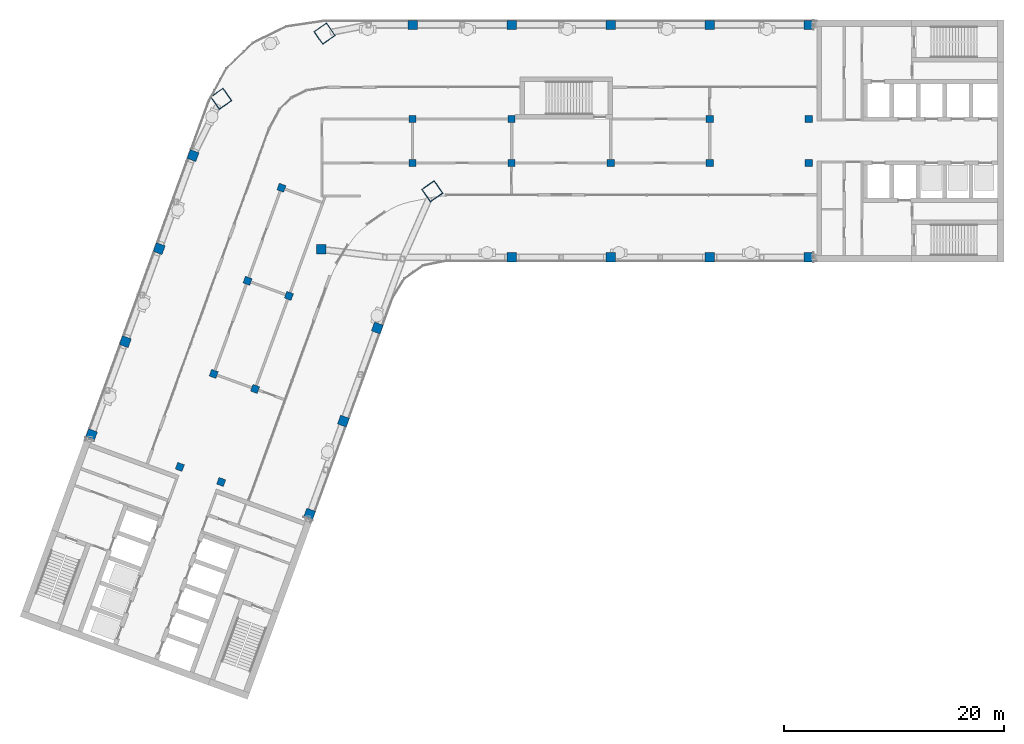
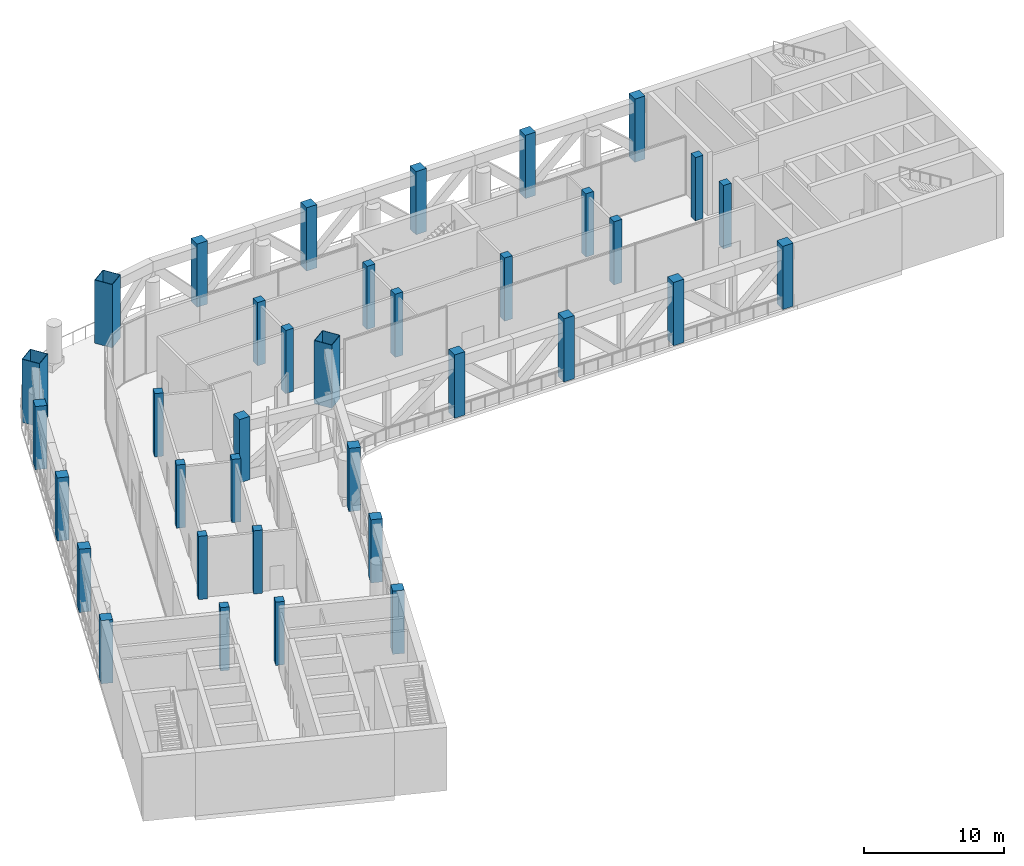
# One storey, part 1 of 19: 36 columns.
"""IFC4 building model written with IfcOpenShell, lengths in metres."""

import ifcopenshell
import ifcopenshell.guid

model = None  # the IFC model being written
_history = None  # IfcOwnerHistory: only IFC2X3 demands one
_inside = {}  # id of a spatial element -> (the spatial element, [elements in it])
_under = {}  # id of a project, library or spatial element -> (it, [spatial elements below it])
_declared = {}  # id of a project -> (the project, [libraries it declares])
_typed = {}  # id of a type object -> (the type object, [elements of that type])
_made_of = {}  # id of a material, layer set ... -> (it, [elements and type objects made of it])


def new_model(schema):
    """Start an empty IFC model of exactly this schema.

    Asked for "IFC4X3", IfcOpenShell would pick the latest addendum, in which some entities
    have other attributes; the version numbers below select the first issue.
    IFC2X3 requires an IfcOwnerHistory on every rooted entity: one is made here for all.
    """
    global model, _history
    if schema == "IFC4X3":
        model = ifcopenshell.file(schema_version=(4, 3, 0, 0))
    else:
        model = ifcopenshell.file(schema=schema)
    _inside.clear()
    _under.clear()
    _declared.clear()
    _typed.clear()
    _made_of.clear()
    _history = None
    if model.schema == "IFC2X3":
        org = make("IfcOrganization", Name="unknown")
        user = make(
            "IfcPersonAndOrganization",
            ThePerson=make("IfcPerson", FamilyName="unknown"),
            TheOrganization=org,
        )
        app = make(
            "IfcApplication",
            ApplicationDeveloper=org,
            Version="unknown",
            ApplicationFullName="unknown",
            ApplicationIdentifier="unknown",
        )
        _history = make(
            "IfcOwnerHistory",
            OwningUser=user,
            OwningApplication=app,
            ChangeAction="ADDED",
            CreationDate=0,
        )
    return model


def make(cls, **values):
    """One entity of the class cls with the attributes given. An attribute that is None is left unset."""
    return model.create_entity(
        cls, **{name: value for name, value in values.items() if value is not None}
    )


def rooted(cls, **values):
    """An entity with a GlobalId (a new one), such as an element, a storey or a relation."""
    return make(cls, GlobalId=ifcopenshell.guid.new(), OwnerHistory=_history, **values)


def si_unit(unit_type, name, prefix=None):
    """IfcSIUnit, for example si_unit("LENGTHUNIT", "METRE", prefix="MILLI")."""
    return make("IfcSIUnit", UnitType=unit_type, Prefix=prefix, Name=name)


def assignment(units):
    """IfcUnitAssignment: the units of a project."""
    return None if units is None else make("IfcUnitAssignment", Units=units)


def point(xyz):
    """IfcCartesianPoint."""
    return None if xyz is None else make("IfcCartesianPoint", Coordinates=xyz)


def direction(xyz):
    """IfcDirection."""
    return None if xyz is None else make("IfcDirection", DirectionRatios=xyz)


def frame(location, z_axis=None, x_axis=None):
    """IfcAxis2Placement3D, a coordinate frame: its origin and axes. An axis left out is left unset."""
    return make(
        "IfcAxis2Placement3D",
        Location=point(location),
        Axis=direction(z_axis),
        RefDirection=direction(x_axis),
    )


def frame_2d(location, x_axis=None):
    """IfcAxis2Placement2D, a coordinate frame in the plane: its origin and x axis."""
    return make(
        "IfcAxis2Placement2D", Location=point(location), RefDirection=direction(x_axis)
    )


def origin():
    """The frame at (0, 0, 0) with its axes left unset."""
    return frame((0.0, 0.0, 0.0))


def origin_2d():
    """The frame at (0, 0) in the plane with its x axis left unset."""
    return frame_2d((0.0, 0.0))


def place(relative_to, where):
    """IfcLocalPlacement: puts the frame where relative to a parent placement (None: the world)."""
    return make(
        "IfcLocalPlacement", PlacementRelTo=relative_to, RelativePlacement=where
    )


def context(
    kind, dimensions, precision=None, world=None, true_north=None, identifier=None
):
    """IfcGeometricRepresentationContext, for example the 3D "Model" context."""
    return make(
        "IfcGeometricRepresentationContext",
        ContextIdentifier=identifier,
        ContextType=kind,
        CoordinateSpaceDimension=dimensions,
        Precision=precision,
        WorldCoordinateSystem=world,
        TrueNorth=true_north,
    )


def subcontext(parent, identifier, kind, view, scale=None):
    """IfcGeometricRepresentationSubContext, for example "Body" below "Model"."""
    return make(
        "IfcGeometricRepresentationSubContext",
        ContextIdentifier=identifier,
        ContextType=kind,
        ParentContext=parent,
        TargetScale=scale,
        TargetView=view,
    )


def project(units=None, contexts=None):
    """IfcProject with its units and contexts."""
    return rooted(
        "IfcProject",
        Name="project",
        RepresentationContexts=contexts,
        UnitsInContext=assignment(units),
    )


def spatial(cls, under=None, at=None, **own):
    """A site, building, storey or space (cls), placed at a placement, below another one or the project."""
    s = rooted(cls, ObjectPlacement=at, **own)
    if under is not None:
        _under.setdefault(under.id(), (under, []))[1].append(s)
    return s


def profile(cls, at=None, kind="AREA", **sizes):
    """A parametric profile (cls). Its sizes go by their IFC names, for example OverallWidth=200.0."""
    return make(cls, ProfileType=kind, Position=at, **sizes)


def rectangle(**sizes):
    """IfcRectangleProfileDef."""
    return profile("IfcRectangleProfileDef", **sizes)


def hollow_rectangle(**sizes):
    """IfcRectangleHollowProfileDef."""
    return profile("IfcRectangleHollowProfileDef", **sizes)


def extrude(swept, where, along, depth):
    """IfcExtrudedAreaSolid: the profile swept, set in the frame where, extruded along a direction by depth."""
    return make(
        "IfcExtrudedAreaSolid",
        SweptArea=swept,
        Position=where,
        ExtrudedDirection=direction(along),
        Depth=depth,
    )


def shape(context_of_items, identifier, shape_type, items):
    """IfcShapeRepresentation: the items that make up one representation, for example the "Body"."""
    return make(
        "IfcShapeRepresentation",
        ContextOfItems=context_of_items,
        RepresentationIdentifier=identifier,
        RepresentationType=shape_type,
        Items=items,
    )


def material(Name=None, Category=None):
    """IfcMaterial."""
    return make("IfcMaterial", Name=Name, Category=Category)


def material_profile(
    of_material, cross_section, Name=None, Category=None, Priority=None
):
    """IfcMaterialProfile: a cross section and its material."""
    return make(
        "IfcMaterialProfile",
        Name=Name,
        Material=of_material,
        Profile=cross_section,
        Priority=Priority,
        Category=Category,
    )


def profile_set(profiles, Name=None, composite=None):
    """IfcMaterialProfileSet."""
    return make(
        "IfcMaterialProfileSet",
        Name=Name,
        MaterialProfiles=profiles,
        CompositeProfile=composite,
    )


def made_of(thing, what):
    """Note that an element or type object is made of a material, layer set ...; save() writes the relation."""
    if what is not None:
        _made_of.setdefault(what.id(), (what, []))[1].append(thing)
    return thing


def type_object(cls, material=None, **own):
    """A type object (cls), such as IfcWallType, which elements share."""
    return made_of(rooted(cls, **own), material)


def element(
    cls,
    number,
    at=None,
    inside=None,
    cuts=None,
    type_object=None,
    material=None,
    context=None,
    identifier="Body",
    shape_type=None,
    held_by="IfcProductDefinitionShape",
    body=None,
    shapes=None,
    **own,
):
    """One element of the class cls, such as IfcWall. Its Tag is "e" and its number.

    at: its placement. inside: the storey or other place that contains it. cuts: it is an
    opening in that element (IfcRelVoidsElement). A single representation is given by context,
    identifier, shape_type and body (its items); several are given by shapes. held_by: the class
    of the entity that holds the representations. save() writes the other relations.
    """
    e = rooted(cls, Tag="e%d" % number, ObjectPlacement=at, **own)
    if body is not None:
        shapes = [shape(context, identifier, shape_type, body)]
    if shapes is not None:
        e.Representation = make(held_by, Representations=shapes)
    if inside is not None:
        _inside.setdefault(inside.id(), (inside, []))[1].append(e)
    if cuts is not None:
        rooted(
            "IfcRelVoidsElement", RelatingBuildingElement=cuts, RelatedOpeningElement=e
        )
    if type_object is not None:
        _typed.setdefault(type_object.id(), (type_object, []))[1].append(e)
    return made_of(e, material)


def aggregate(whole, parts):
    """IfcRelAggregates: a whole, such as a stair, and the parts it consists of."""
    return rooted("IfcRelAggregates", RelatingObject=whole, RelatedObjects=parts)


def save(model, path):
    """Write the relations noted so far, then the file.

    IfcRelAggregates (storeys below a building ...), IfcRelContainedInSpatialStructure (elements
    in a storey), IfcRelDefinesByType, IfcRelAssociatesMaterial and IfcRelDeclares: one each for
    every whole, place, type object, material and project.
    """
    for whole, parts in _under.values():
        aggregate(whole, parts)
    for where, things in _inside.values():
        rooted(
            "IfcRelContainedInSpatialStructure",
            RelatedElements=things,
            RelatingStructure=where,
        )
    for kind, things in _typed.values():
        rooted("IfcRelDefinesByType", RelatedObjects=things, RelatingType=kind)
    for what, things in _made_of.values():
        rooted("IfcRelAssociatesMaterial", RelatedObjects=things, RelatingMaterial=what)
    for by, libraries in _declared.values():
        rooted("IfcRelDeclares", RelatingContext=by, RelatedDefinitions=libraries)
    model.write(path)


model = new_model("IFC4")

# Units and contexts
model_context = context("Model", 3, precision=1e-05, world=origin(), true_north=direction((0.0, 1.0)))
body_context = subcontext(model_context, "Body", "Model", "MODEL_VIEW")
ifc_project = project(units=[si_unit("LENGTHUNIT", "METRE"), si_unit("AREAUNIT", "SQUARE_METRE"), si_unit("VOLUMEUNIT", "CUBIC_METRE"), si_unit("PLANEANGLEUNIT", "RADIAN"), si_unit("MASSUNIT", "GRAM", prefix="KILO")], contexts=[model_context])

# Site, building, storey
site_placement = place(None, origin())
site = spatial("IfcSite", under=ifc_project, at=site_placement, CompositionType="ELEMENT")
building_placement = place(site_placement, origin())
building = spatial("IfcBuilding", under=site, at=building_placement, Name="Skarvind Civic Tower", CompositionType="ELEMENT")
storey_placement = place(building_placement, frame((0.0, 0.0, 129.0)))
storey = spatial("IfcBuildingStorey", under=building, at=storey_placement, Name="L30", CompositionType="ELEMENT", Elevation=129.0)

# Columns
ifc_material_1 = material(Name="Concrete C60", Category="concrete")
ifc_material_profile_1 = material_profile(ifc_material_1, rectangle(XDim=0.64990234375, YDim=0.64990234375, at=origin_2d()), Name="RC-650x650")
ifc_profile_set_1 = profile_set([ifc_material_profile_1], Name="Concrete C60")
column_type_1 = type_object("IfcColumnType", Name="Column RC-650x650 C60", PredefinedType="COLUMN", material=ifc_profile_set_1)
for number, where, z_axis, x_axis, name in (
    (1, (54.25, 130.0, 0.0), (0.0, 0.0, 1.0), (1.0, 0.0, 0.0), "Column wing 1 north inner 02 L30"),
    (2, (63.25, 130.0, 0.0), (0.0, 0.0, 1.0), (1.0, 0.0, 0.0), "Column wing 1 north inner 03 L30"),
    (3, (81.25, 130.0, 0.0), (0.0, 0.0, 1.0), (1.0, 0.0, 0.0), "Column wing 1 north inner 05 L30"),
    (4, (90.25, 130.0, 0.0), (0.0, 0.0, 1.0), (1.0, 0.0, 0.0), "Column wing 1 north inner 06 L30"),
    (5, (54.25, 126.0, 0.0), (0.0, 0.0, 1.0), (1.0, 0.0, 0.0), "Column wing 1 south inner 02 L30"),
    (6, (63.25, 126.0, 0.0), (0.0, 0.0, 1.0), (1.0, 0.0, 0.0), "Column wing 1 south inner 03 L30"),
    (7, (72.25, 126.0, 0.0), (0.0, 0.0, 1.0), (1.0, 0.0, 0.0), "Column wing 1 south inner 04 L30"),
    (8, (81.25, 126.0, 0.0), (0.0, 0.0, 1.0), (1.0, 0.0, 0.0), "Column wing 1 south inner 05 L30"),
    (9, (90.25, 126.0, 0.0), (0.0, 0.0, 1.0), (1.0, 0.0, 0.0), "Column wing 1 south inner 06 L30"),
    (10, (43.005615234375, 113.92529296875, 0.0), (0.0, 0.0, 1.0), (-0.342020143326, -0.939692620786, 0.0), "Column wing 2 left inner 02 L30"),
    (11, (39.927490234375, 105.468017578125, 0.0), (0.0, 0.0, 1.0), (-0.342020143326, -0.939692620786, 0.0), "Column wing 2 left inner 03 L30"),
    (12, (36.84912109375, 97.010986328125, 0.0), (0.0, 0.0, 1.0), (-0.342020143326, -0.939692620786, 0.0), "Column wing 2 left inner 04 L30"),
    (13, (42.324951171875, 123.750732421875, 0.0), (0.0, 0.0, 1.0), (-0.342020143326, -0.939692620786, 0.0), "Column wing 2 right inner 01 L30"),
    (14, (39.246826171875, 115.29345703125, 0.0), (0.0, 0.0, 1.0), (-0.342020143326, -0.939692620786, 0.0), "Column wing 2 right inner 02 L30"),
    (15, (36.168701171875, 106.836181640625, 0.0), (0.0, 0.0, 1.0), (-0.342020143326, -0.939692620786, 0.0), "Column wing 2 right inner 03 L30"),
    (16, (33.090576171875, 98.37890625, 0.0), (0.0, 0.0, 1.0), (-0.342020143326, -0.939692620786, 0.0), "Column wing 2 right inner 04 L30"),
):
    element("IfcColumn", number, at=place(storey_placement, frame(where, z_axis=z_axis, x_axis=x_axis)), inside=storey, type_object=column_type_1, Name=name, PredefinedType="COLUMN", context=body_context, shape_type="SweptSolid", body=[
        extrude(rectangle(XDim=0.64990234375, YDim=0.64990234375, at=origin_2d()), origin(), (0.0, 0.0, 1.0), 5.5),
    ])
ifc_material_2 = material(Name="Concrete C80", Category="concrete")
ifc_material_profile_2 = material_profile(ifc_material_2, rectangle(XDim=0.85009765625, YDim=0.85009765625, at=origin_2d()), Name="RC-850x850")
ifc_profile_set_2 = profile_set([ifc_material_profile_2], Name="Concrete C80")
column_type_2 = type_object("IfcColumnType", Name="Column RC-850x850 C80", PredefinedType="COLUMN", material=ifc_profile_set_2)
for number, where, z_axis, x_axis, name in (
    (17, (54.25, 138.550048828125, 0.0), (0.0, 0.0, 1.0), (1.0, 0.0, 0.0), "Column wing 1 north perimeter 02 L30"),
    (18, (63.25, 138.550048828125, 0.0), (0.0, 0.0, 1.0), (1.0, 0.0, 0.0), "Column wing 1 north perimeter 03 L30"),
    (19, (72.25, 138.550048828125, 0.0), (0.0, 0.0, 1.0), (1.0, 0.0, 0.0), "Column wing 1 north perimeter 04 L30"),
    (20, (81.25, 138.550048828125, 0.0), (0.0, 0.0, 1.0), (1.0, 0.0, 0.0), "Column wing 1 north perimeter 05 L30"),
    (21, (90.25, 138.550048828125, 0.0), (0.0, 0.0, 1.0), (1.0, 0.0, 0.0), "Column wing 1 north perimeter 06 L30"),
    (22, (45.95166015625, 118.151611328125, 0.0), (0.0, 0.0, 1.0), (1.0, 0.0, 0.0), "Column wing 1 south perimeter 01 L30"),
    (23, (63.25, 117.449951171875, 0.0), (0.0, 0.0, 1.0), (1.0, 0.0, 0.0), "Column wing 1 south perimeter 03 L30"),
    (24, (72.25, 117.449951171875, 0.0), (0.0, 0.0, 1.0), (1.0, 0.0, 0.0), "Column wing 1 south perimeter 04 L30"),
    (25, (81.25, 117.449951171875, 0.0), (0.0, 0.0, 1.0), (1.0, 0.0, 0.0), "Column wing 1 south perimeter 05 L30"),
    (26, (90.25, 117.449951171875, 0.0), (0.0, 0.0, 1.0), (1.0, 0.0, 0.0), "Column wing 1 south perimeter 06 L30"),
    (27, (51.0400390625, 111.0009765625, 0.0), (0.0, 0.0, 1.0), (-0.342020143326, -0.939692620786, 0.0), "Column wing 2 left perimeter 02 L30"),
    (28, (47.961669921875, 102.5439453125, 0.0), (0.0, 0.0, 1.0), (-0.342020143326, -0.939692620786, 0.0), "Column wing 2 left perimeter 03 L30"),
    (29, (44.883544921875, 94.086669921875, 0.0), (0.0, 0.0, 1.0), (-0.342020143326, -0.939692620786, 0.0), "Column wing 2 left perimeter 04 L30"),
    (30, (34.29052734375, 126.6748046875, 0.0), (0.0, 0.0, 1.0), (-0.342020143326, -0.939692620786, 0.0), "Column wing 2 right perimeter 01 L30"),
    (31, (31.21240234375, 118.2177734375, 0.0), (0.0, 0.0, 1.0), (-0.342020143326, -0.939692620786, 0.0), "Column wing 2 right perimeter 02 L30"),
    (32, (28.13427734375, 109.760498046875, 0.0), (0.0, 0.0, 1.0), (-0.342020143326, -0.939692620786, 0.0), "Column wing 2 right perimeter 03 L30"),
    (33, (25.05615234375, 101.30322265625, 0.0), (0.0, 0.0, 1.0), (-0.342020143326, -0.939692620786, 0.0), "Column wing 2 right perimeter 04 L30"),
):
    element("IfcColumn", number, at=place(storey_placement, frame(where, z_axis=z_axis, x_axis=x_axis)), inside=storey, type_object=column_type_2, Name=name, PredefinedType="COLUMN", context=body_context, shape_type="SweptSolid", body=[
        extrude(rectangle(XDim=0.85009765625, YDim=0.85009765625, at=origin_2d()), origin(), (0.0, 0.0, 1.0), 5.5),
    ])
ifc_material_3 = material(Name="Composite concrete-filled steel tube, Steel SM355 with Concrete C80", Category="concrete")
ifc_material_profile_3 = material_profile(ifc_material_3, hollow_rectangle(XDim=1.39990234375, YDim=1.39990234375, WallThickness=0.0400390625, at=origin_2d()), Name="BOX-1400x1400x40")
ifc_profile_set_3 = profile_set([ifc_material_profile_3], Name="Composite concrete-filled steel tube, Steel SM355 with Concrete C80")
column_type_3 = type_object("IfcColumnType", Name="Mega column BOX-1400x1400x40 filled C80", PredefinedType="COLUMN", material=ifc_profile_set_3)
for number, where, z_axis, x_axis, name in (
    (34, (36.845947265625, 131.837646484375, 0.0), (0.0, 0.0, 1.0), (0.573576436351, -0.819152044289, 0.0), "Mega column 1 L30"),
    (35, (46.2470703125, 137.762451171875, 0.0), (0.0, 0.0, 1.0), (0.573576436351, -0.819152044289, 0.0), "Mega column 2 L30"),
    (36, (56.0361328125, 123.43017578125, 0.0), (0.0, 0.0, 1.0), (0.573576436351, -0.819152044289, 0.0), "Mega column 4 L30"),
):
    element("IfcColumn", number, at=place(storey_placement, frame(where, z_axis=z_axis, x_axis=x_axis)), inside=storey, type_object=column_type_3, Name=name, PredefinedType="COLUMN", context=body_context, shape_type="SweptSolid", body=[
        extrude(hollow_rectangle(XDim=1.39990234375, YDim=1.39990234375, WallThickness=0.0400390625, at=origin_2d()), origin(), (0.0, 0.0, 1.0), 5.5),
    ])

save(model, "model.ifc")
